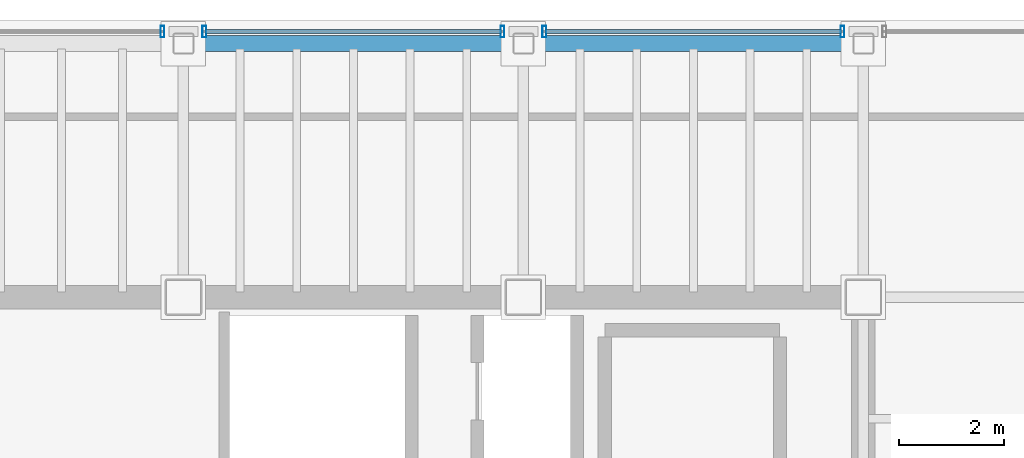
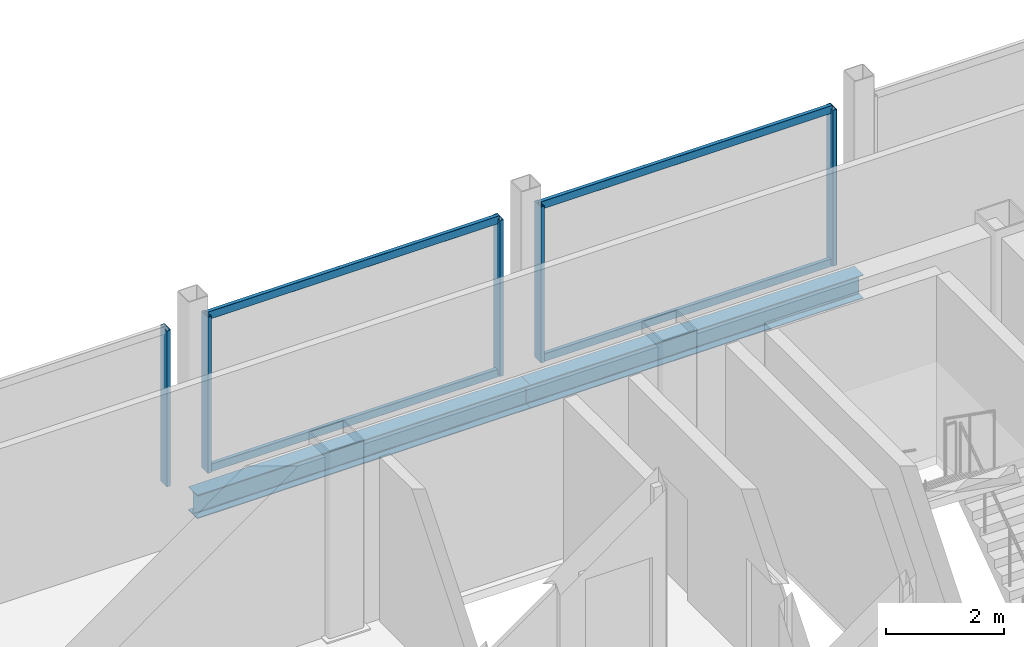
# One storey, part 10 of 17: 9 members, 2 beams, 3 elements without a shape of their own.
"""IFC4 building model written with IfcOpenShell, lengths in metres."""

from ifc_helpers import new_model, si_unit, direction, frame, origin, origin_2d, place, context, subcontext, project, spatial, hollow_rectangle, i_section, extrude, material, material_profile, profile_set, type_object, element, aggregate, save


model = new_model("IFC4")

# Units and contexts
model_context = context("Model", 3, precision=1e-05, world=origin(), true_north=direction((0.0, 1.0)))
body_context = subcontext(model_context, "Body", "Model", "MODEL_VIEW")
ifc_project = project(units=[si_unit("LENGTHUNIT", "METRE"), si_unit("AREAUNIT", "SQUARE_METRE"), si_unit("VOLUMEUNIT", "CUBIC_METRE"), si_unit("PLANEANGLEUNIT", "RADIAN"), si_unit("MASSUNIT", "GRAM", prefix="KILO")], contexts=[model_context])

# Site, building, storey
site_placement = place(None, origin())
site = spatial("IfcSite", under=ifc_project, at=site_placement, CompositionType="ELEMENT")
building_placement = place(site_placement, origin())
building = spatial("IfcBuilding", under=site, at=building_placement, Name="Noeulbin Bourse Tower", CompositionType="ELEMENT")
storey_placement = place(building_placement, frame((0.0, 0.0, 289.10009765625)))
storey = spatial("IfcBuildingStorey", under=building, at=storey_placement, Name="L72", CompositionType="ELEMENT", Elevation=289.10009765625)

# Beams
ifc_material_1 = material(Name="Steel S355", Category="steel")
ifc_material_profile_1 = material_profile(ifc_material_1, i_section(OverallWidth=0.300048828125, OverallDepth=0.488037109375, WebThickness=0.010986328125, FlangeThickness=0.01806640625, FilletRadius=0.02197265625, at=origin_2d()), Name="H-488x300x11x18", Category="LoadBearing")
ifc_profile_set_1 = profile_set([ifc_material_profile_1], Name="Steel S355")
beam_type = type_object("IfcBeamType", Name="BM-SPN-488", PredefinedType="SPANDREL", material=ifc_profile_set_1)
for number, where, z_axis, x_axis, name in (
    (1, (31.0, 43.14990234375, -0.424072265625), (1.0, 0.0, 0.0), (0.0, 1.0, 0.0), "North Spandrel L72-2"),
    (2, (37.5, 43.14990234375, -0.424072265625), (1.0, 0.0, 0.0), (0.0, 1.0, 0.0), "North Spandrel L72-3"),
):
    element("IfcBeam", number, at=place(storey_placement, frame(where, z_axis=z_axis, x_axis=x_axis)), inside=storey, type_object=beam_type, Name=name, PredefinedType="SPANDREL", context=body_context, shape_type="SweptSolid", body=[
        extrude(i_section(OverallWidth=0.300048828125, OverallDepth=0.488037109375, WebThickness=0.010986328125, FlangeThickness=0.01806640625, FilletRadius=0.02197265625, at=origin_2d()), origin(), (0.0, 0.0, 1.0), 6.5),
    ])

# Curtain wall, member
ifc_material_2 = material(Name="High-Selectivity Low-Iron Glazing", Category="glass")
curtain_wall_type = type_object("IfcCurtainWallType", Name="CW-SYS-4", PredefinedType="NOTDEFINED", material=ifc_material_2)
curtain_wall_1_placement = place(storey_placement, origin())
curtain_wall_1 = element("IfcCurtainWall", 3, at=curtain_wall_1_placement, inside=storey, type_object=curtain_wall_type, Name="Unitised Curtain Wall CW-L72-N-S2", PredefinedType="NOTDEFINED")
ifc_material_3 = material(Name="Anodised Aluminium 6063-T6", Category="aluminium")
ifc_material_profile_2 = material_profile(ifc_material_3, hollow_rectangle(XDim=0.074951171875, YDim=0.219970703125, WallThickness=0.0048828125, InnerFilletRadius=0.00244140625, OuterFilletRadius=0.0048828125, at=origin_2d()), Name="ALU-MULL-75x220x5", Category="LoadBearing")
ifc_profile_set_2 = profile_set([ifc_material_profile_2], Name="Anodised Aluminium 6063-T6")
member_type_1 = type_object("IfcMemberType", Name="CW-SYS-4-MUL", PredefinedType="MULLION", material=ifc_profile_set_2)
member_1_placement = place(storey_placement, frame((30.60009765625, 43.3798828125, -0.02001953125), z_axis=(0.0, 0.0, 1.0), x_axis=(1.0, 0.0, 0.0)))
member_1 = element("IfcMember", 4, at=member_1_placement, type_object=member_type_1, Name="Curtain Wall Mullion CW-L72-N-S2-M01", PredefinedType="MULLION", context=body_context, shape_type="SweptSolid", body=[
    extrude(hollow_rectangle(XDim=0.074951171875, YDim=0.219970703125, WallThickness=0.0048828125, InnerFilletRadius=0.00244140625, OuterFilletRadius=0.0048828125, at=origin_2d()), origin(), (0.0, 0.0, 1.0), 3.219970703125),
])
aggregate(curtain_wall_1, [member_1])

# Curtain wall, members
curtain_wall_2_placement = place(storey_placement, origin())
curtain_wall_2 = element("IfcCurtainWall", 5, at=curtain_wall_2_placement, inside=storey, type_object=curtain_wall_type, Name="Unitised Curtain Wall CW-L72-N-S3", PredefinedType="NOTDEFINED")
member_2_placement = place(storey_placement, frame((31.39990234375, 43.3798828125, -0.02001953125), z_axis=(0.0, 0.0, 1.0), x_axis=(1.0, 0.0, 0.0)))
member_2 = element("IfcMember", 6, at=member_2_placement, type_object=member_type_1, Name="Curtain Wall Mullion CW-L72-N-S3-M00", PredefinedType="MULLION", context=body_context, shape_type="SweptSolid", body=[
    extrude(hollow_rectangle(XDim=0.074951171875, YDim=0.219970703125, WallThickness=0.0048828125, InnerFilletRadius=0.00244140625, OuterFilletRadius=0.0048828125, at=origin_2d()), origin(), (0.0, 0.0, 1.0), 3.219970703125),
])
member_3_placement = place(storey_placement, frame((37.10009765625, 43.3798828125, -0.02001953125), z_axis=(0.0, 0.0, 1.0), x_axis=(1.0, 0.0, 0.0)))
member_3 = element("IfcMember", 7, at=member_3_placement, type_object=member_type_1, Name="Curtain Wall Mullion CW-L72-N-S3-M01", PredefinedType="MULLION", context=body_context, shape_type="SweptSolid", body=[
    extrude(hollow_rectangle(XDim=0.074951171875, YDim=0.219970703125, WallThickness=0.0048828125, InnerFilletRadius=0.00244140625, OuterFilletRadius=0.0048828125, at=origin_2d()), origin(), (0.0, 0.0, 1.0), 3.219970703125),
])

curtain_wall_3_placement = place(storey_placement, origin())
curtain_wall_3 = element("IfcCurtainWall", 8, at=curtain_wall_3_placement, inside=storey, type_object=curtain_wall_type, Name="Unitised Curtain Wall CW-L72-N-S4", PredefinedType="NOTDEFINED")
member_4_placement = place(storey_placement, frame((37.89990234375, 43.3798828125, -0.02001953125), z_axis=(0.0, 0.0, 1.0), x_axis=(1.0, 0.0, 0.0)))
member_4 = element("IfcMember", 9, at=member_4_placement, type_object=member_type_1, Name="Curtain Wall Mullion CW-L72-N-S4-M00", PredefinedType="MULLION", context=body_context, shape_type="SweptSolid", body=[
    extrude(hollow_rectangle(XDim=0.074951171875, YDim=0.219970703125, WallThickness=0.0048828125, InnerFilletRadius=0.00244140625, OuterFilletRadius=0.0048828125, at=origin_2d()), origin(), (0.0, 0.0, 1.0), 3.219970703125),
])
member_5_placement = place(storey_placement, frame((43.60009765625, 43.3798828125, -0.02001953125), z_axis=(0.0, 0.0, 1.0), x_axis=(1.0, 0.0, 0.0)))
member_5 = element("IfcMember", 10, at=member_5_placement, type_object=member_type_1, Name="Curtain Wall Mullion CW-L72-N-S4-M01", PredefinedType="MULLION", context=body_context, shape_type="SweptSolid", body=[
    extrude(hollow_rectangle(XDim=0.074951171875, YDim=0.219970703125, WallThickness=0.0048828125, InnerFilletRadius=0.00244140625, OuterFilletRadius=0.0048828125, at=origin_2d()), origin(), (0.0, 0.0, 1.0), 3.219970703125),
])

# Member
ifc_material_profile_3 = material_profile(ifc_material_3, hollow_rectangle(XDim=0.074951171875, YDim=0.159912109375, WallThickness=0.0048828125, InnerFilletRadius=0.00244140625, OuterFilletRadius=0.0048828125, at=origin_2d()), Name="ALU-TRAN-75x160x5", Category="LoadBearing")
ifc_profile_set_3 = profile_set([ifc_material_profile_3], Name="Anodised Aluminium 6063-T6")
member_type_2 = type_object("IfcMemberType", Name="CW-SYS-4-TRN", PredefinedType="USERDEFINED", material=ifc_profile_set_3)
member_6_placement = place(storey_placement, frame((31.409912109375, 43.3798828125, 0.010009765625), z_axis=(1.0, 0.0, 0.0), x_axis=(0.0, 1.0, 0.0)))
member_6 = element("IfcMember", 11, at=member_6_placement, type_object=member_type_2, Name="Curtain Wall Transom CW-L72-N-S3-T00", ObjectType="TRANSOM", PredefinedType="USERDEFINED", context=body_context, shape_type="SweptSolid", body=[
    extrude(hollow_rectangle(XDim=0.074951171875, YDim=0.159912109375, WallThickness=0.0048828125, InnerFilletRadius=0.00244140625, OuterFilletRadius=0.0048828125, at=origin_2d()), origin(), (0.0, 0.0, 1.0), 5.68017578125),
])

member_7_placement = place(storey_placement, frame((31.409912109375, 43.3798828125, 3.169921875), z_axis=(1.0, 0.0, 0.0), x_axis=(0.0, 1.0, 0.0)))
member_7 = element("IfcMember", 12, at=member_7_placement, type_object=member_type_2, Name="Curtain Wall Transom CW-L72-N-S3-T01", ObjectType="TRANSOM", PredefinedType="USERDEFINED", context=body_context, shape_type="SweptSolid", body=[
    extrude(hollow_rectangle(XDim=0.074951171875, YDim=0.159912109375, WallThickness=0.0048828125, InnerFilletRadius=0.00244140625, OuterFilletRadius=0.0048828125, at=origin_2d()), origin(), (0.0, 0.0, 1.0), 5.68017578125),
])

aggregate(curtain_wall_2, [member_2, member_3, member_6, member_7])

member_8_placement = place(storey_placement, frame((37.909912109375, 43.3798828125, 0.010009765625), z_axis=(1.0, 0.0, 0.0), x_axis=(0.0, 1.0, 0.0)))
member_8 = element("IfcMember", 13, at=member_8_placement, type_object=member_type_2, Name="Curtain Wall Transom CW-L72-N-S4-T00", ObjectType="TRANSOM", PredefinedType="USERDEFINED", context=body_context, shape_type="SweptSolid", body=[
    extrude(hollow_rectangle(XDim=0.074951171875, YDim=0.159912109375, WallThickness=0.0048828125, InnerFilletRadius=0.00244140625, OuterFilletRadius=0.0048828125, at=origin_2d()), origin(), (0.0, 0.0, 1.0), 5.68017578125),
])

member_9_placement = place(storey_placement, frame((37.909912109375, 43.3798828125, 3.169921875), z_axis=(1.0, 0.0, 0.0), x_axis=(0.0, 1.0, 0.0)))
member_9 = element("IfcMember", 14, at=member_9_placement, type_object=member_type_2, Name="Curtain Wall Transom CW-L72-N-S4-T01", ObjectType="TRANSOM", PredefinedType="USERDEFINED", context=body_context, shape_type="SweptSolid", body=[
    extrude(hollow_rectangle(XDim=0.074951171875, YDim=0.159912109375, WallThickness=0.0048828125, InnerFilletRadius=0.00244140625, OuterFilletRadius=0.0048828125, at=origin_2d()), origin(), (0.0, 0.0, 1.0), 5.68017578125),
])

aggregate(curtain_wall_3, [member_4, member_5, member_8, member_9])

save(model, "model.ifc")
